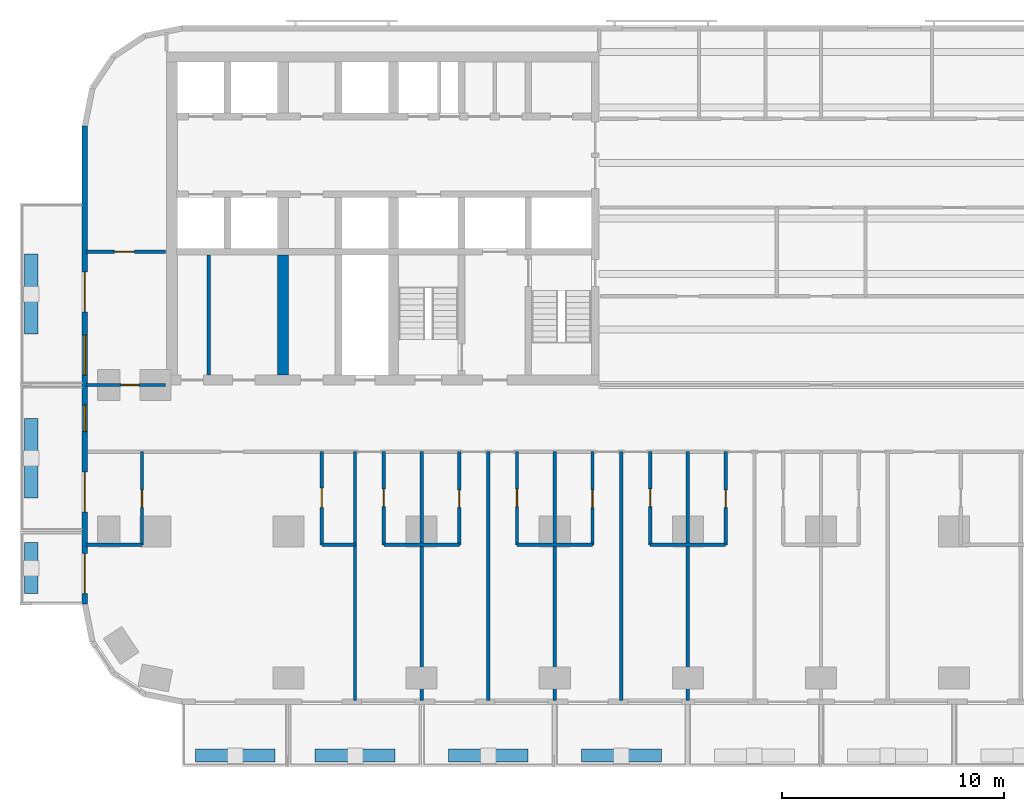
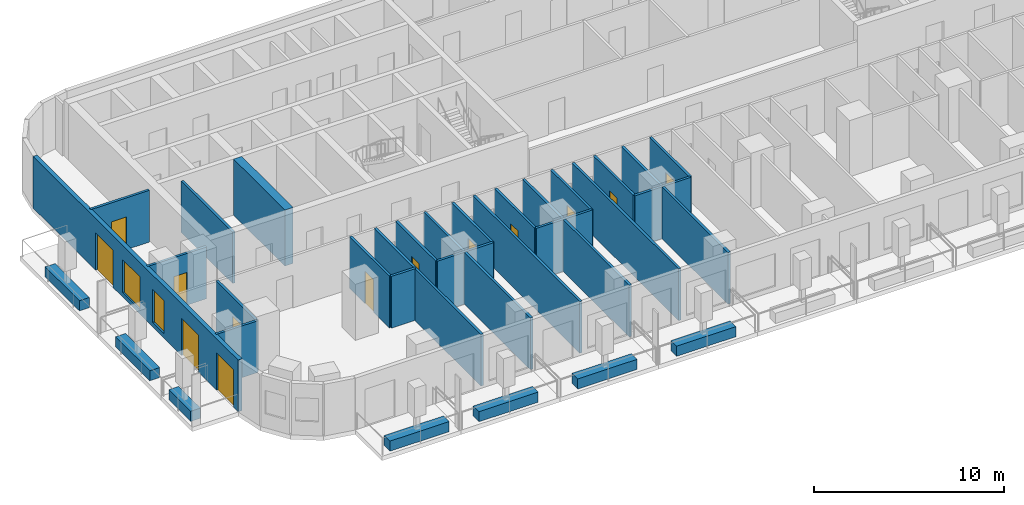
# One storey, part 2 of 14: 31 walls, 13 doors, 2 windows, 15 openings.
"""IFC4 building model written with IfcOpenShell, lengths in metres."""

import ifcopenshell
import ifcopenshell.guid

model = None  # the IFC model being written
_history = None  # IfcOwnerHistory: only IFC2X3 demands one
_inside = {}  # id of a spatial element -> (the spatial element, [elements in it])
_under = {}  # id of a project, library or spatial element -> (it, [spatial elements below it])
_declared = {}  # id of a project -> (the project, [libraries it declares])
_typed = {}  # id of a type object -> (the type object, [elements of that type])
_made_of = {}  # id of a material, layer set ... -> (it, [elements and type objects made of it])


def new_model(schema):
    """Start an empty IFC model of exactly this schema.

    Asked for "IFC4X3", IfcOpenShell would pick the latest addendum, in which some entities
    have other attributes; the version numbers below select the first issue.
    IFC2X3 requires an IfcOwnerHistory on every rooted entity: one is made here for all.
    """
    global model, _history
    if schema == "IFC4X3":
        model = ifcopenshell.file(schema_version=(4, 3, 0, 0))
    else:
        model = ifcopenshell.file(schema=schema)
    _inside.clear()
    _under.clear()
    _declared.clear()
    _typed.clear()
    _made_of.clear()
    _history = None
    if model.schema == "IFC2X3":
        org = make("IfcOrganization", Name="unknown")
        user = make(
            "IfcPersonAndOrganization",
            ThePerson=make("IfcPerson", FamilyName="unknown"),
            TheOrganization=org,
        )
        app = make(
            "IfcApplication",
            ApplicationDeveloper=org,
            Version="unknown",
            ApplicationFullName="unknown",
            ApplicationIdentifier="unknown",
        )
        _history = make(
            "IfcOwnerHistory",
            OwningUser=user,
            OwningApplication=app,
            ChangeAction="ADDED",
            CreationDate=0,
        )
    return model


def make(cls, **values):
    """One entity of the class cls with the attributes given. An attribute that is None is left unset."""
    return model.create_entity(
        cls, **{name: value for name, value in values.items() if value is not None}
    )


def rooted(cls, **values):
    """An entity with a GlobalId (a new one), such as an element, a storey or a relation."""
    return make(cls, GlobalId=ifcopenshell.guid.new(), OwnerHistory=_history, **values)


def si_unit(unit_type, name, prefix=None):
    """IfcSIUnit, for example si_unit("LENGTHUNIT", "METRE", prefix="MILLI")."""
    return make("IfcSIUnit", UnitType=unit_type, Prefix=prefix, Name=name)


def assignment(units):
    """IfcUnitAssignment: the units of a project."""
    return None if units is None else make("IfcUnitAssignment", Units=units)


def point(xyz):
    """IfcCartesianPoint."""
    return None if xyz is None else make("IfcCartesianPoint", Coordinates=xyz)


def direction(xyz):
    """IfcDirection."""
    return None if xyz is None else make("IfcDirection", DirectionRatios=xyz)


def frame(location, z_axis=None, x_axis=None):
    """IfcAxis2Placement3D, a coordinate frame: its origin and axes. An axis left out is left unset."""
    return make(
        "IfcAxis2Placement3D",
        Location=point(location),
        Axis=direction(z_axis),
        RefDirection=direction(x_axis),
    )


def frame_2d(location, x_axis=None):
    """IfcAxis2Placement2D, a coordinate frame in the plane: its origin and x axis."""
    return make(
        "IfcAxis2Placement2D", Location=point(location), RefDirection=direction(x_axis)
    )


def origin():
    """The frame at (0, 0, 0) with its axes left unset."""
    return frame((0.0, 0.0, 0.0))


def place(relative_to, where):
    """IfcLocalPlacement: puts the frame where relative to a parent placement (None: the world)."""
    return make(
        "IfcLocalPlacement", PlacementRelTo=relative_to, RelativePlacement=where
    )


def context(
    kind, dimensions, precision=None, world=None, true_north=None, identifier=None
):
    """IfcGeometricRepresentationContext, for example the 3D "Model" context."""
    return make(
        "IfcGeometricRepresentationContext",
        ContextIdentifier=identifier,
        ContextType=kind,
        CoordinateSpaceDimension=dimensions,
        Precision=precision,
        WorldCoordinateSystem=world,
        TrueNorth=true_north,
    )


def subcontext(parent, identifier, kind, view, scale=None):
    """IfcGeometricRepresentationSubContext, for example "Body" below "Model"."""
    return make(
        "IfcGeometricRepresentationSubContext",
        ContextIdentifier=identifier,
        ContextType=kind,
        ParentContext=parent,
        TargetScale=scale,
        TargetView=view,
    )


def project(units=None, contexts=None):
    """IfcProject with its units and contexts."""
    return rooted(
        "IfcProject",
        Name="project",
        RepresentationContexts=contexts,
        UnitsInContext=assignment(units),
    )


def spatial(cls, under=None, at=None, **own):
    """A site, building, storey or space (cls), placed at a placement, below another one or the project."""
    s = rooted(cls, ObjectPlacement=at, **own)
    if under is not None:
        _under.setdefault(under.id(), (under, []))[1].append(s)
    return s


def profile(cls, at=None, kind="AREA", **sizes):
    """A parametric profile (cls). Its sizes go by their IFC names, for example OverallWidth=200.0."""
    return make(cls, ProfileType=kind, Position=at, **sizes)


def rectangle(**sizes):
    """IfcRectangleProfileDef."""
    return profile("IfcRectangleProfileDef", **sizes)


def extrude(swept, where, along, depth):
    """IfcExtrudedAreaSolid: the profile swept, set in the frame where, extruded along a direction by depth."""
    return make(
        "IfcExtrudedAreaSolid",
        SweptArea=swept,
        Position=where,
        ExtrudedDirection=direction(along),
        Depth=depth,
    )


def shape(context_of_items, identifier, shape_type, items):
    """IfcShapeRepresentation: the items that make up one representation, for example the "Body"."""
    return make(
        "IfcShapeRepresentation",
        ContextOfItems=context_of_items,
        RepresentationIdentifier=identifier,
        RepresentationType=shape_type,
        Items=items,
    )


def material(Name=None, Category=None):
    """IfcMaterial."""
    return make("IfcMaterial", Name=Name, Category=Category)


def layer(
    of_material, thickness, ventilated=None, Name=None, Category=None, Priority=None
):
    """IfcMaterialLayer: one layer of a wall or slab, of a material (None: an air gap)."""
    return make(
        "IfcMaterialLayer",
        Material=of_material,
        LayerThickness=thickness,
        IsVentilated=ventilated,
        Name=Name,
        Category=Category,
        Priority=Priority,
    )


def layer_set(layers, Name=None):
    """IfcMaterialLayerSet."""
    return make("IfcMaterialLayerSet", MaterialLayers=layers, LayerSetName=Name)


def made_of(thing, what):
    """Note that an element or type object is made of a material, layer set ...; save() writes the relation."""
    if what is not None:
        _made_of.setdefault(what.id(), (what, []))[1].append(thing)
    return thing


def type_object(cls, material=None, **own):
    """A type object (cls), such as IfcWallType, which elements share."""
    return made_of(rooted(cls, **own), material)


def element(
    cls,
    number,
    at=None,
    inside=None,
    cuts=None,
    type_object=None,
    material=None,
    context=None,
    identifier="Body",
    shape_type=None,
    held_by="IfcProductDefinitionShape",
    body=None,
    shapes=None,
    **own,
):
    """One element of the class cls, such as IfcWall. Its Tag is "e" and its number.

    at: its placement. inside: the storey or other place that contains it. cuts: it is an
    opening in that element (IfcRelVoidsElement). A single representation is given by context,
    identifier, shape_type and body (its items); several are given by shapes. held_by: the class
    of the entity that holds the representations. save() writes the other relations.
    """
    e = rooted(cls, Tag="e%d" % number, ObjectPlacement=at, **own)
    if body is not None:
        shapes = [shape(context, identifier, shape_type, body)]
    if shapes is not None:
        e.Representation = make(held_by, Representations=shapes)
    if inside is not None:
        _inside.setdefault(inside.id(), (inside, []))[1].append(e)
    if cuts is not None:
        rooted(
            "IfcRelVoidsElement", RelatingBuildingElement=cuts, RelatedOpeningElement=e
        )
    if type_object is not None:
        _typed.setdefault(type_object.id(), (type_object, []))[1].append(e)
    return made_of(e, material)


def fill(opening, filler):
    """IfcRelFillsElement: the door or window that sits in an opening."""
    return rooted(
        "IfcRelFillsElement",
        RelatingOpeningElement=opening,
        RelatedBuildingElement=filler,
    )


def aggregate(whole, parts):
    """IfcRelAggregates: a whole, such as a stair, and the parts it consists of."""
    return rooted("IfcRelAggregates", RelatingObject=whole, RelatedObjects=parts)


def save(model, path):
    """Write the relations noted so far, then the file.

    IfcRelAggregates (storeys below a building ...), IfcRelContainedInSpatialStructure (elements
    in a storey), IfcRelDefinesByType, IfcRelAssociatesMaterial and IfcRelDeclares: one each for
    every whole, place, type object, material and project.
    """
    for whole, parts in _under.values():
        aggregate(whole, parts)
    for where, things in _inside.values():
        rooted(
            "IfcRelContainedInSpatialStructure",
            RelatedElements=things,
            RelatingStructure=where,
        )
    for kind, things in _typed.values():
        rooted("IfcRelDefinesByType", RelatedObjects=things, RelatingType=kind)
    for what, things in _made_of.values():
        rooted("IfcRelAssociatesMaterial", RelatedObjects=things, RelatingMaterial=what)
    for by, libraries in _declared.values():
        rooted("IfcRelDeclares", RelatingContext=by, RelatedDefinitions=libraries)
    model.write(path)


model = new_model("IFC4")

# Units and contexts
model_context = context("Model", 3, precision=1e-05, world=origin(), true_north=direction((0.0, 1.0)))
body_context = subcontext(model_context, "Body", "Model", "MODEL_VIEW")
ifc_project = project(units=[si_unit("LENGTHUNIT", "METRE"), si_unit("AREAUNIT", "SQUARE_METRE"), si_unit("VOLUMEUNIT", "CUBIC_METRE"), si_unit("PLANEANGLEUNIT", "RADIAN"), si_unit("MASSUNIT", "GRAM", prefix="KILO")], contexts=[model_context])

# Site, building, storey
site_placement = place(None, origin())
site = spatial("IfcSite", under=ifc_project, at=site_placement, CompositionType="ELEMENT")
building_placement = place(site_placement, origin())
building = spatial("IfcBuilding", under=site, at=building_placement, Name="Torana Hotel and Residences", CompositionType="ELEMENT")
storey_placement = place(building_placement, frame((0.0, 0.0, 34.800048828125)))
storey = spatial("IfcBuildingStorey", under=building, at=storey_placement, Name="L07", CompositionType="ELEMENT", Elevation=34.800048828125)

# Wall
ifc_material_1 = material(Name="Concrete C80/95", Category="concrete")
ifc_layer_1 = layer(ifc_material_1, 0.5)
ifc_layer_set_1 = layer_set([ifc_layer_1], Name="CORE WALL 500 C80/95")
wall_type_1 = type_object("IfcWallType", Name="CORE WALL 500 C80/95", PredefinedType="SHEAR", material=ifc_layer_set_1)
wall_1_placement = place(storey_placement, frame((-24.25, -14.550048828125, 0.0), z_axis=(0.0, 0.0, 1.0), x_axis=(0.0, 1.0, 0.0)))
element("IfcWall", 1, at=wall_1_placement, inside=storey, type_object=wall_type_1, Name="Core wall W ml-band", PredefinedType="SHEAR", context=body_context, shape_type="SweptSolid", body=[
    extrude(rectangle(XDim=5.400146484375, YDim=0.5, at=frame_2d((2.7001953125, 0.0))), origin(), (0.0, 0.0, 1.0), 3.599853515625),
])

# Wall, openings, doors, windows
ifc_material_2 = material(Name="Black aluminium composite panel", Category="aluminium")
ifc_layer_2 = layer(ifc_material_2, 0.00390625, Name="Cladding", Category="cladding")
ifc_material_3 = material(Name="Ventilated air cavity")
ifc_layer_3 = layer(ifc_material_3, 0.0400390625, Name="Ventilated cavity", Category="cavity")
ifc_material_4 = material(Name="Mineral wool insulation")
ifc_layer_4 = layer(ifc_material_4, 0.090087890625, Name="Insulation", Category="insulation")
ifc_material_5 = material(Name="Steel S280GD", Category="steel")
ifc_layer_5 = layer(ifc_material_5, 0.092041015625, Name="Steel stud frame", Category="structure")
ifc_material_6 = material(Name="Fire rated plasterboard")
ifc_layer_6 = layer(ifc_material_6, 0.011962890625, Name="Inner board", Category="finish")
ifc_layer_7 = layer(ifc_material_6, 0.011962890625, Name="Second board", Category="finish")
ifc_layer_set_2 = layer_set([ifc_layer_2, ifc_layer_3, ifc_layer_4, ifc_layer_5, ifc_layer_6, ifc_layer_7], Name="EW1 EXTERNAL WALL BLACK METAL CLAD 250")
wall_type_2 = type_object("IfcWallType", Name="EW1 EXTERNAL WALL BLACK METAL CLAD 250", PredefinedType="SOLIDWALL", material=ifc_layer_set_2)
wall_2_placement = place(storey_placement, frame((-33.175048828125, -3.32470703125, 0.0), z_axis=(0.0, 0.0, 1.0), x_axis=(0.0, -1.0, 0.0)))
wall_2 = element("IfcWall", 2, at=wall_2_placement, inside=storey, type_object=wall_type_2, Name="External wall L07 e0.9", PredefinedType="SOLIDWALL", context=body_context, shape_type="SweptSolid", body=[
    extrude(rectangle(XDim=21.55078125, YDim=0.25, at=frame_2d((10.775390625, 0.0))), origin(), (0.0, 0.0, 1.0), 3.320068359375),
])
opening_1_placement = place(wall_2_placement, frame((6.575439453125, 0.0, 0.0)))
opening_1 = element("IfcOpeningElement", 3, at=opening_1_placement, cuts=wall_2, Name="Opening L07-E14", PredefinedType="OPENING", context=body_context, shape_type="SweptSolid", body=[
    extrude(rectangle(XDim=1.800048828125, YDim=2.39990234375, at=frame_2d((0.89990234375, 1.199951171875))), frame((0.0, 0.135009765625, 0.0), z_axis=(0.0, -1.0, 0.0), x_axis=(1.0, 0.0, 0.0)), (0.0, 0.0, 1.0), 0.27001953125),
])
opening_2_placement = place(wall_2_placement, frame((9.42529296875, 0.0, 0.300048828125)))
opening_2 = element("IfcOpeningElement", 4, at=opening_2_placement, cuts=wall_2, Name="Opening W2", PredefinedType="OPENING", context=body_context, shape_type="SweptSolid", body=[
    extrude(rectangle(XDim=1.800048828125, YDim=2.10009765625, at=frame_2d((0.89990234375, 1.050048828125))), frame((0.0, 0.135009765625, 0.0), z_axis=(0.0, -1.0, 0.0), x_axis=(1.0, 0.0, 0.0)), (0.0, 0.0, 1.0), 0.27001953125),
])
opening_3_placement = place(wall_2_placement, frame((12.575439453125, 0.0, 0.300048828125)))
opening_3 = element("IfcOpeningElement", 5, at=opening_3_placement, cuts=wall_2, Name="Opening W7", PredefinedType="OPENING", context=body_context, shape_type="SweptSolid", body=[
    extrude(rectangle(XDim=1.199951171875, YDim=2.10009765625, at=frame_2d((0.60009765625, 1.050048828125))), frame((0.0, 0.135009765625, 0.0), z_axis=(0.0, -1.0, 0.0), x_axis=(1.0, 0.0, 0.0)), (0.0, 0.0, 1.0), 0.27001953125),
])
opening_4_placement = place(wall_2_placement, frame((15.600341796875, 0.0, 0.0)))
opening_4 = element("IfcOpeningElement", 6, at=opening_4_placement, cuts=wall_2, Name="Opening L07-E15", PredefinedType="OPENING", context=body_context, shape_type="SweptSolid", body=[
    extrude(rectangle(XDim=1.800048828125, YDim=2.39990234375, at=frame_2d((0.89990234375, 1.199951171875))), frame((0.0, 0.135009765625, 0.0), z_axis=(0.0, -1.0, 0.0), x_axis=(1.0, 0.0, 0.0)), (0.0, 0.0, 1.0), 0.27001953125),
])
opening_5_placement = place(wall_2_placement, frame((19.275390625, 0.0, 0.0)))
opening_5 = element("IfcOpeningElement", 7, at=opening_5_placement, cuts=wall_2, Name="Opening L07-E16", PredefinedType="OPENING", context=body_context, shape_type="SweptSolid", body=[
    extrude(rectangle(XDim=1.800048828125, YDim=2.39990234375, at=frame_2d((0.89990234375, 1.199951171875))), frame((0.0, 0.135009765625, 0.0), z_axis=(0.0, -1.0, 0.0), x_axis=(1.0, 0.0, 0.0)), (0.0, 0.0, 1.0), 0.27001953125),
])
ifc_material_7 = material(Name="Dark glass in black aluminium frame", Category="aluminium")
door_type_1 = type_object("IfcDoorType", Name="DB1 BALCONY DOOR 1800x2400", OperationType="DOUBLE_DOOR_SINGLE_SWING", PredefinedType="DOOR", material=ifc_material_7)
door_1_placement = place(opening_1_placement, origin())
door_1 = element("IfcDoor", 8, at=door_1_placement, inside=storey, type_object=door_type_1, Name="Balcony door L07", OperationType="DOUBLE_DOOR_SINGLE_SWING", OverallHeight=2.39990234375, OverallWidth=1.800048828125, PredefinedType="DOOR", context=body_context, shape_type="SweptSolid", body=[
    extrude(rectangle(XDim=1.800048828125, YDim=2.39990234375, at=frame_2d((0.89990234375, 1.199951171875))), frame((0.0, 0.02490234375, 0.0), z_axis=(0.0, -1.0, 0.0), x_axis=(1.0, 0.0, 0.0)), (0.0, 0.0, 1.0), 0.050048828125),
])
fill(opening_1, door_1)
door_2_placement = place(opening_4_placement, origin())
door_2 = element("IfcDoor", 9, at=door_2_placement, inside=storey, type_object=door_type_1, Name="Balcony door L07", OperationType="DOUBLE_DOOR_SINGLE_SWING", OverallHeight=2.39990234375, OverallWidth=1.800048828125, PredefinedType="DOOR", context=body_context, shape_type="SweptSolid", body=[
    extrude(rectangle(XDim=1.800048828125, YDim=2.39990234375, at=frame_2d((0.89990234375, 1.199951171875))), frame((0.0, 0.02490234375, 0.0), z_axis=(0.0, -1.0, 0.0), x_axis=(1.0, 0.0, 0.0)), (0.0, 0.0, 1.0), 0.050048828125),
])
fill(opening_4, door_2)
door_3_placement = place(opening_5_placement, origin())
door_3 = element("IfcDoor", 10, at=door_3_placement, inside=storey, type_object=door_type_1, Name="Balcony door L07", OperationType="DOUBLE_DOOR_SINGLE_SWING", OverallHeight=2.39990234375, OverallWidth=1.800048828125, PredefinedType="DOOR", context=body_context, shape_type="SweptSolid", body=[
    extrude(rectangle(XDim=1.800048828125, YDim=2.39990234375, at=frame_2d((0.89990234375, 1.199951171875))), frame((0.0, 0.02490234375, 0.0), z_axis=(0.0, -1.0, 0.0), x_axis=(1.0, 0.0, 0.0)), (0.0, 0.0, 1.0), 0.050048828125),
])
fill(opening_5, door_3)
ifc_material_8 = material(Name="Dark glass in black aluminium frame", Category="aluminium")
window_type_1 = type_object("IfcWindowType", Name="W2 HOTEL ROOM WINDOW NARROW 1800x2100", PartitioningType="SINGLE_PANEL", PredefinedType="WINDOW", material=ifc_material_8)
window_1_placement = place(opening_2_placement, origin())
window_1 = element("IfcWindow", 11, at=window_1_placement, inside=storey, type_object=window_type_1, Name="Window L07", OverallHeight=2.10009765625, OverallWidth=1.800048828125, PartitioningType="SINGLE_PANEL", PredefinedType="WINDOW", context=body_context, shape_type="SweptSolid", body=[
    extrude(rectangle(XDim=1.800048828125, YDim=2.10009765625, at=frame_2d((0.89990234375, 1.050048828125))), frame((0.0, 0.030029296875, 0.0), z_axis=(0.0, -1.0, 0.0), x_axis=(1.0, 0.0, 0.0)), (0.0, 0.0, 1.0), 0.06005859375),
])
fill(opening_2, window_1)
ifc_material_9 = material(Name="Dark glass in black aluminium frame", Category="aluminium")
window_type_2 = type_object("IfcWindowType", Name="W7 HOTEL CORRIDOR WINDOW 1200x2100", PartitioningType="SINGLE_PANEL", PredefinedType="WINDOW", material=ifc_material_9)
window_2_placement = place(opening_3_placement, origin())
window_2 = element("IfcWindow", 12, at=window_2_placement, inside=storey, type_object=window_type_2, Name="Window L07", OverallHeight=2.10009765625, OverallWidth=1.199951171875, PartitioningType="SINGLE_PANEL", PredefinedType="WINDOW", context=body_context, shape_type="SweptSolid", body=[
    extrude(rectangle(XDim=1.199951171875, YDim=2.10009765625, at=frame_2d((0.60009765625, 1.050048828125))), frame((0.0, 0.030029296875, 0.0), z_axis=(0.0, -1.0, 0.0), x_axis=(1.0, 0.0, 0.0)), (0.0, 0.0, 1.0), 0.06005859375),
])
fill(opening_3, window_2)

# Wall
ifc_material_10 = material(Name="Gypsum plaster")
ifc_layer_8 = layer(ifc_material_10, 0.014892578125, Name="Plaster", Category="finish")
ifc_material_11 = material(Name="Concrete blockwork", Category="masonry")
ifc_layer_9 = layer(ifc_material_11, 0.1201171875, Name="Blockwork", Category="structure")
ifc_layer_10 = layer(ifc_material_10, 0.014892578125, Name="Plaster", Category="finish")
ifc_layer_set_3 = layer_set([ifc_layer_8, ifc_layer_9, ifc_layer_10], Name="FIRE PARTITION 150 BLOCKWORK")
wall_type_3 = type_object("IfcWallType", Name="FIRE PARTITION 150 BLOCKWORK", PredefinedType="PARTITIONING", material=ifc_layer_set_3)
wall_3_placement = place(storey_placement, frame((-27.60009765625, -14.550048828125, 0.0), z_axis=(0.0, 0.0, 1.0), x_axis=(0.0, 1.0, 0.0)))
element("IfcWall", 13, at=wall_3_placement, inside=storey, type_object=wall_type_3, Name="Core partition L07", PredefinedType="PARTITIONING", context=body_context, shape_type="SweptSolid", body=[
    extrude(rectangle(XDim=5.400146484375, YDim=0.14990234375, at=frame_2d((2.7001953125, 0.0))), origin(), (0.0, 0.0, 1.0), 3.300048828125),
])

# Wall, opening, door
wall_4_placement = place(storey_placement, frame((-33.1201171875, -15.0, 0.0), z_axis=(0.0, 0.0, 1.0), x_axis=(1.0, 0.0, 0.0)))
wall_4 = element("IfcWall", 14, at=wall_4_placement, inside=storey, type_object=wall_type_3, Name="Partition L07", PredefinedType="PARTITIONING", context=body_context, shape_type="SweptSolid", body=[
    extrude(rectangle(XDim=3.570068359375, YDim=0.14990234375, at=frame_2d((1.78515625, 0.0))), origin(), (0.0, 0.0, 1.0), 3.320068359375),
])
opening_6_placement = place(wall_4_placement, frame((1.580078125, 0.0, 0.0)))
opening_6 = element("IfcOpeningElement", 15, at=opening_6_placement, cuts=wall_4, Name="Opening L07-53", PredefinedType="OPENING", context=body_context, shape_type="SweptSolid", body=[
    extrude(rectangle(XDim=0.800048828125, YDim=2.10009765625, at=frame_2d((0.39990234375, 1.050048828125))), frame((0.0, 0.0849609375, 0.0), z_axis=(0.0, -1.0, 0.0), x_axis=(1.0, 0.0, 0.0)), (0.0, 0.0, 1.0), 0.169921875),
])
ifc_material_12 = material(Name="Steel S235", Category="steel")
door_type_2 = type_object("IfcDoorType", Name="STORE FIRE DOOR D16 800x2100", OperationType="SINGLE_SWING_LEFT", PredefinedType="DOOR", material=ifc_material_12)
door_4_placement = place(opening_6_placement, origin())
door_4 = element("IfcDoor", 16, at=door_4_placement, inside=storey, type_object=door_type_2, Name="Door L07", OperationType="SINGLE_SWING_RIGHT", OverallHeight=2.10009765625, OverallWidth=0.800048828125, PredefinedType="DOOR", context=body_context, shape_type="SweptSolid", body=[
    extrude(rectangle(XDim=0.800048828125, YDim=2.10009765625, at=frame_2d((0.39990234375, 1.050048828125))), frame((0.0, 0.02490234375, 0.0), z_axis=(0.0, -1.0, 0.0), x_axis=(1.0, 0.0, 0.0)), (0.0, 0.0, 1.0), 0.050048828125),
])
fill(opening_6, door_4)

ifc_material_13 = material(Name="Gypsum plasterboard")
ifc_layer_11 = layer(ifc_material_13, 0.012451171875, Name="Plasterboard", Category="finish")
ifc_layer_12 = layer(ifc_material_13, 0.012451171875, Name="Plasterboard", Category="finish")
ifc_layer_13 = layer(ifc_material_5, 0.10009765625, Name="Steel studs with mineral wool", Category="insulation")
ifc_layer_14 = layer(ifc_material_13, 0.012451171875, Name="Plasterboard", Category="finish")
ifc_layer_15 = layer(ifc_material_13, 0.012451171875, Name="Plasterboard", Category="finish")
ifc_layer_set_4 = layer_set([ifc_layer_11, ifc_layer_12, ifc_layer_13, ifc_layer_14, ifc_layer_15], Name="PARTITION 150 PLASTERBOARD")
wall_type_4 = type_object("IfcWallType", Name="PARTITION 150 PLASTERBOARD", PredefinedType="PARTITIONING", material=ifc_layer_set_4)
wall_5_placement = place(storey_placement, frame((-4.300048828125, -22.199951171875, 0.0), z_axis=(0.0, 0.0, 1.0), x_axis=(0.0, 1.0, 0.0)))
wall_5 = element("IfcWall", 17, at=wall_5_placement, inside=storey, type_object=wall_type_4, Name="Partition L07", PredefinedType="PARTITIONING", context=body_context, shape_type="SweptSolid", body=[
    extrude(rectangle(XDim=4.199951171875, YDim=0.14990234375, at=frame_2d((2.10009765625, 0.0))), origin(), (0.0, 0.0, 1.0), 3.320068359375),
])
opening_7_placement = place(wall_5_placement, frame((1.679931640625, 0.0, 0.0)))
opening_7 = element("IfcOpeningElement", 18, at=opening_7_placement, cuts=wall_5, Name="Opening L07-69", PredefinedType="OPENING", context=body_context, shape_type="SweptSolid", body=[
    extrude(rectangle(XDim=0.800048828125, YDim=2.10009765625, at=frame_2d((0.39990234375, 1.050048828125))), frame((0.0, 0.0849609375, 0.0), z_axis=(0.0, -1.0, 0.0), x_axis=(1.0, 0.0, 0.0)), (0.0, 0.0, 1.0), 0.169921875),
])
ifc_material_14 = material(Name="Timber door, painted", Category="wood")
door_type_3 = type_object("IfcDoorType", Name="BATH DOOR D13 800x2100", OperationType="SINGLE_SWING_LEFT", PredefinedType="DOOR", material=ifc_material_14)
door_5_placement = place(opening_7_placement, origin())
door_5 = element("IfcDoor", 19, at=door_5_placement, inside=storey, type_object=door_type_3, Name="Door L07", OperationType="SINGLE_SWING_RIGHT", OverallHeight=2.10009765625, OverallWidth=0.800048828125, PredefinedType="DOOR", context=body_context, shape_type="SweptSolid", body=[
    extrude(rectangle(XDim=0.800048828125, YDim=2.10009765625, at=frame_2d((0.39990234375, 1.050048828125))), frame((0.0, 0.02490234375, 0.0), z_axis=(0.0, -1.0, 0.0), x_axis=(1.0, 0.0, 0.0)), (0.0, 0.0, 1.0), 0.050048828125),
])
fill(opening_7, door_5)

# Wall
wall_6_placement = place(storey_placement, frame((-6.0, -29.219970703125, 0.0), z_axis=(0.0, 0.0, 1.0), x_axis=(0.0, 1.0, 0.0)))
element("IfcWall", 20, at=wall_6_placement, inside=storey, type_object=wall_type_4, Name="Partition L07", PredefinedType="PARTITIONING", context=body_context, shape_type="SweptSolid", body=[
    extrude(rectangle(XDim=11.219970703125, YDim=0.14990234375, at=frame_2d((5.60986328125, 0.0))), origin(), (0.0, 0.0, 1.0), 3.320068359375),
])

# Wall, opening, door
wall_7_placement = place(storey_placement, frame((-7.699951171875, -22.199951171875, 0.0), z_axis=(0.0, 0.0, 1.0), x_axis=(0.0, 1.0, 0.0)))
wall_7 = element("IfcWall", 21, at=wall_7_placement, inside=storey, type_object=wall_type_4, Name="Partition L07", PredefinedType="PARTITIONING", context=body_context, shape_type="SweptSolid", body=[
    extrude(rectangle(XDim=4.199951171875, YDim=0.14990234375, at=frame_2d((2.10009765625, 0.0))), origin(), (0.0, 0.0, 1.0), 3.320068359375),
])
opening_8_placement = place(wall_7_placement, frame((1.719970703125, 0.0, 0.0)))
opening_8 = element("IfcOpeningElement", 22, at=opening_8_placement, cuts=wall_7, Name="Opening L07-68", PredefinedType="OPENING", context=body_context, shape_type="SweptSolid", body=[
    extrude(rectangle(XDim=0.800048828125, YDim=2.10009765625, at=frame_2d((0.39990234375, 1.050048828125))), frame((0.0, 0.0849609375, 0.0), z_axis=(0.0, -1.0, 0.0), x_axis=(1.0, 0.0, 0.0)), (0.0, 0.0, 1.0), 0.169921875),
])
door_6_placement = place(opening_8_placement, origin())
door_6 = element("IfcDoor", 23, at=door_6_placement, inside=storey, type_object=door_type_3, Name="Door L07", OperationType="SINGLE_SWING_RIGHT", OverallHeight=2.10009765625, OverallWidth=0.800048828125, PredefinedType="DOOR", context=body_context, shape_type="SweptSolid", body=[
    extrude(rectangle(XDim=0.800048828125, YDim=2.10009765625, at=frame_2d((0.39990234375, 1.050048828125))), frame((0.0, 0.02490234375, 0.0), z_axis=(0.0, -1.0, 0.0), x_axis=(1.0, 0.0, 0.0)), (0.0, 0.0, 1.0), 0.050048828125),
])
fill(opening_8, door_6)

# Wall
wall_8_placement = place(storey_placement, frame((-9.0, -29.219970703125, 0.0), z_axis=(0.0, 0.0, 1.0), x_axis=(0.0, 1.0, 0.0)))
element("IfcWall", 24, at=wall_8_placement, inside=storey, type_object=wall_type_4, Name="Partition L07", PredefinedType="PARTITIONING", context=body_context, shape_type="SweptSolid", body=[
    extrude(rectangle(XDim=11.219970703125, YDim=0.14990234375, at=frame_2d((5.60986328125, 0.0))), origin(), (0.0, 0.0, 1.0), 3.320068359375),
])

# Wall, opening, door
wall_9_placement = place(storey_placement, frame((-10.300048828125, -22.199951171875, 0.0), z_axis=(0.0, 0.0, 1.0), x_axis=(0.0, 1.0, 0.0)))
wall_9 = element("IfcWall", 25, at=wall_9_placement, inside=storey, type_object=wall_type_4, Name="Partition L07", PredefinedType="PARTITIONING", context=body_context, shape_type="SweptSolid", body=[
    extrude(rectangle(XDim=4.199951171875, YDim=0.14990234375, at=frame_2d((2.10009765625, 0.0))), origin(), (0.0, 0.0, 1.0), 3.320068359375),
])
opening_9_placement = place(wall_9_placement, frame((1.679931640625, 0.0, 0.0)))
opening_9 = element("IfcOpeningElement", 26, at=opening_9_placement, cuts=wall_9, Name="Opening L07-67", PredefinedType="OPENING", context=body_context, shape_type="SweptSolid", body=[
    extrude(rectangle(XDim=0.800048828125, YDim=2.10009765625, at=frame_2d((0.39990234375, 1.050048828125))), frame((0.0, 0.0849609375, 0.0), z_axis=(0.0, -1.0, 0.0), x_axis=(1.0, 0.0, 0.0)), (0.0, 0.0, 1.0), 0.169921875),
])
door_7_placement = place(opening_9_placement, origin())
door_7 = element("IfcDoor", 27, at=door_7_placement, inside=storey, type_object=door_type_3, Name="Door L07", OperationType="SINGLE_SWING_RIGHT", OverallHeight=2.10009765625, OverallWidth=0.800048828125, PredefinedType="DOOR", context=body_context, shape_type="SweptSolid", body=[
    extrude(rectangle(XDim=0.800048828125, YDim=2.10009765625, at=frame_2d((0.39990234375, 1.050048828125))), frame((0.0, 0.02490234375, 0.0), z_axis=(0.0, -1.0, 0.0), x_axis=(1.0, 0.0, 0.0)), (0.0, 0.0, 1.0), 0.050048828125),
])
fill(opening_9, door_7)

# Wall
wall_10_placement = place(storey_placement, frame((-12.0, -29.219970703125, 0.0), z_axis=(0.0, 0.0, 1.0), x_axis=(0.0, 1.0, 0.0)))
element("IfcWall", 28, at=wall_10_placement, inside=storey, type_object=wall_type_4, Name="Partition L07", PredefinedType="PARTITIONING", context=body_context, shape_type="SweptSolid", body=[
    extrude(rectangle(XDim=11.219970703125, YDim=0.14990234375, at=frame_2d((5.60986328125, 0.0))), origin(), (0.0, 0.0, 1.0), 3.320068359375),
])

# Wall, opening, door
wall_11_placement = place(storey_placement, frame((-13.699951171875, -22.199951171875, 0.0), z_axis=(0.0, 0.0, 1.0), x_axis=(0.0, 1.0, 0.0)))
wall_11 = element("IfcWall", 29, at=wall_11_placement, inside=storey, type_object=wall_type_4, Name="Partition L07", PredefinedType="PARTITIONING", context=body_context, shape_type="SweptSolid", body=[
    extrude(rectangle(XDim=4.199951171875, YDim=0.14990234375, at=frame_2d((2.10009765625, 0.0))), origin(), (0.0, 0.0, 1.0), 3.320068359375),
])
opening_10_placement = place(wall_11_placement, frame((1.719970703125, 0.0, 0.0)))
opening_10 = element("IfcOpeningElement", 30, at=opening_10_placement, cuts=wall_11, Name="Opening L07-66", PredefinedType="OPENING", context=body_context, shape_type="SweptSolid", body=[
    extrude(rectangle(XDim=0.800048828125, YDim=2.10009765625, at=frame_2d((0.39990234375, 1.050048828125))), frame((0.0, 0.0849609375, 0.0), z_axis=(0.0, -1.0, 0.0), x_axis=(1.0, 0.0, 0.0)), (0.0, 0.0, 1.0), 0.169921875),
])
door_8_placement = place(opening_10_placement, origin())
door_8 = element("IfcDoor", 31, at=door_8_placement, inside=storey, type_object=door_type_3, Name="Door L07", OperationType="SINGLE_SWING_RIGHT", OverallHeight=2.10009765625, OverallWidth=0.800048828125, PredefinedType="DOOR", context=body_context, shape_type="SweptSolid", body=[
    extrude(rectangle(XDim=0.800048828125, YDim=2.10009765625, at=frame_2d((0.39990234375, 1.050048828125))), frame((0.0, 0.02490234375, 0.0), z_axis=(0.0, -1.0, 0.0), x_axis=(1.0, 0.0, 0.0)), (0.0, 0.0, 1.0), 0.050048828125),
])
fill(opening_10, door_8)

# Wall
wall_12_placement = place(storey_placement, frame((-15.0, -29.219970703125, 0.0), z_axis=(0.0, 0.0, 1.0), x_axis=(0.0, 1.0, 0.0)))
element("IfcWall", 32, at=wall_12_placement, inside=storey, type_object=wall_type_4, Name="Partition L07", PredefinedType="PARTITIONING", context=body_context, shape_type="SweptSolid", body=[
    extrude(rectangle(XDim=11.219970703125, YDim=0.14990234375, at=frame_2d((5.60986328125, 0.0))), origin(), (0.0, 0.0, 1.0), 3.320068359375),
])

# Wall, opening, door
wall_13_placement = place(storey_placement, frame((-16.300048828125, -22.199951171875, 0.0), z_axis=(0.0, 0.0, 1.0), x_axis=(0.0, 1.0, 0.0)))
wall_13 = element("IfcWall", 33, at=wall_13_placement, inside=storey, type_object=wall_type_4, Name="Partition L07", PredefinedType="PARTITIONING", context=body_context, shape_type="SweptSolid", body=[
    extrude(rectangle(XDim=4.199951171875, YDim=0.14990234375, at=frame_2d((2.10009765625, 0.0))), origin(), (0.0, 0.0, 1.0), 3.320068359375),
])
opening_11_placement = place(wall_13_placement, frame((1.679931640625, 0.0, 0.0)))
opening_11 = element("IfcOpeningElement", 34, at=opening_11_placement, cuts=wall_13, Name="Opening L07-65", PredefinedType="OPENING", context=body_context, shape_type="SweptSolid", body=[
    extrude(rectangle(XDim=0.800048828125, YDim=2.10009765625, at=frame_2d((0.39990234375, 1.050048828125))), frame((0.0, 0.0849609375, 0.0), z_axis=(0.0, -1.0, 0.0), x_axis=(1.0, 0.0, 0.0)), (0.0, 0.0, 1.0), 0.169921875),
])
door_9_placement = place(opening_11_placement, origin())
door_9 = element("IfcDoor", 35, at=door_9_placement, inside=storey, type_object=door_type_3, Name="Door L07", OperationType="SINGLE_SWING_RIGHT", OverallHeight=2.10009765625, OverallWidth=0.800048828125, PredefinedType="DOOR", context=body_context, shape_type="SweptSolid", body=[
    extrude(rectangle(XDim=0.800048828125, YDim=2.10009765625, at=frame_2d((0.39990234375, 1.050048828125))), frame((0.0, 0.02490234375, 0.0), z_axis=(0.0, -1.0, 0.0), x_axis=(1.0, 0.0, 0.0)), (0.0, 0.0, 1.0), 0.050048828125),
])
fill(opening_11, door_9)

# Wall
wall_14_placement = place(storey_placement, frame((-18.0, -29.219970703125, 0.0), z_axis=(0.0, 0.0, 1.0), x_axis=(0.0, 1.0, 0.0)))
element("IfcWall", 36, at=wall_14_placement, inside=storey, type_object=wall_type_4, Name="Partition L07", PredefinedType="PARTITIONING", context=body_context, shape_type="SweptSolid", body=[
    extrude(rectangle(XDim=11.219970703125, YDim=0.14990234375, at=frame_2d((5.60986328125, 0.0))), origin(), (0.0, 0.0, 1.0), 3.320068359375),
])

# Wall, opening, door
wall_15_placement = place(storey_placement, frame((-19.699951171875, -22.199951171875, 0.0), z_axis=(0.0, 0.0, 1.0), x_axis=(0.0, 1.0, 0.0)))
wall_15 = element("IfcWall", 37, at=wall_15_placement, inside=storey, type_object=wall_type_4, Name="Partition L07", PredefinedType="PARTITIONING", context=body_context, shape_type="SweptSolid", body=[
    extrude(rectangle(XDim=4.199951171875, YDim=0.14990234375, at=frame_2d((2.10009765625, 0.0))), origin(), (0.0, 0.0, 1.0), 3.320068359375),
])
opening_12_placement = place(wall_15_placement, frame((1.719970703125, 0.0, 0.0)))
opening_12 = element("IfcOpeningElement", 38, at=opening_12_placement, cuts=wall_15, Name="Opening L07-64", PredefinedType="OPENING", context=body_context, shape_type="SweptSolid", body=[
    extrude(rectangle(XDim=0.800048828125, YDim=2.10009765625, at=frame_2d((0.39990234375, 1.050048828125))), frame((0.0, 0.0849609375, 0.0), z_axis=(0.0, -1.0, 0.0), x_axis=(1.0, 0.0, 0.0)), (0.0, 0.0, 1.0), 0.169921875),
])
door_10_placement = place(opening_12_placement, origin())
door_10 = element("IfcDoor", 39, at=door_10_placement, inside=storey, type_object=door_type_3, Name="Door L07", OperationType="SINGLE_SWING_RIGHT", OverallHeight=2.10009765625, OverallWidth=0.800048828125, PredefinedType="DOOR", context=body_context, shape_type="SweptSolid", body=[
    extrude(rectangle(XDim=0.800048828125, YDim=2.10009765625, at=frame_2d((0.39990234375, 1.050048828125))), frame((0.0, 0.02490234375, 0.0), z_axis=(0.0, -1.0, 0.0), x_axis=(1.0, 0.0, 0.0)), (0.0, 0.0, 1.0), 0.050048828125),
])
fill(opening_12, door_10)

# Wall
wall_16_placement = place(storey_placement, frame((-21.0, -29.219970703125, 0.0), z_axis=(0.0, 0.0, 1.0), x_axis=(0.0, 1.0, 0.0)))
element("IfcWall", 40, at=wall_16_placement, inside=storey, type_object=wall_type_4, Name="Partition L07", PredefinedType="PARTITIONING", context=body_context, shape_type="SweptSolid", body=[
    extrude(rectangle(XDim=11.219970703125, YDim=0.14990234375, at=frame_2d((5.60986328125, 0.0))), origin(), (0.0, 0.0, 1.0), 3.320068359375),
])

# Wall, opening, door
wall_17_placement = place(storey_placement, frame((-22.5, -22.199951171875, 0.0), z_axis=(0.0, 0.0, 1.0), x_axis=(0.0, 1.0, 0.0)))
wall_17 = element("IfcWall", 41, at=wall_17_placement, inside=storey, type_object=wall_type_4, Name="Partition L07", PredefinedType="PARTITIONING", context=body_context, shape_type="SweptSolid", body=[
    extrude(rectangle(XDim=4.199951171875, YDim=0.14990234375, at=frame_2d((2.10009765625, 0.0))), origin(), (0.0, 0.0, 1.0), 3.320068359375),
])
opening_13_placement = place(wall_17_placement, frame((1.669921875, 0.0, 0.0)))
opening_13 = element("IfcOpeningElement", 42, at=opening_13_placement, cuts=wall_17, Name="Opening L07-78", PredefinedType="OPENING", context=body_context, shape_type="SweptSolid", body=[
    extrude(rectangle(XDim=0.89990234375, YDim=2.10009765625, at=frame_2d((0.449951171875, 1.050048828125))), frame((0.0, 0.0849609375, 0.0), z_axis=(0.0, -1.0, 0.0), x_axis=(1.0, 0.0, 0.0)), (0.0, 0.0, 1.0), 0.169921875),
])
ifc_material_15 = material(Name="Timber door, oiled ash", Category="wood")
door_type_4 = type_object("IfcDoorType", Name="ROOM DOOR D7 900x2100", OperationType="SINGLE_SWING_LEFT", PredefinedType="DOOR", material=ifc_material_15)
door_11_placement = place(opening_13_placement, origin())
door_11 = element("IfcDoor", 43, at=door_11_placement, inside=storey, type_object=door_type_4, Name="Door L07", OperationType="SINGLE_SWING_RIGHT", OverallHeight=2.10009765625, OverallWidth=0.89990234375, PredefinedType="DOOR", context=body_context, shape_type="SweptSolid", body=[
    extrude(rectangle(XDim=0.89990234375, YDim=2.10009765625, at=frame_2d((0.449951171875, 1.050048828125))), frame((0.0, 0.02490234375, 0.0), z_axis=(0.0, -1.0, 0.0), x_axis=(1.0, 0.0, 0.0)), (0.0, 0.0, 1.0), 0.050048828125),
])
fill(opening_13, door_11)

wall_18_placement = place(storey_placement, frame((-30.60009765625, -22.199951171875, 0.0), z_axis=(0.0, 0.0, 1.0), x_axis=(0.0, 1.0, 0.0)))
wall_18 = element("IfcWall", 44, at=wall_18_placement, inside=storey, type_object=wall_type_4, Name="Partition L07", PredefinedType="PARTITIONING", context=body_context, shape_type="SweptSolid", body=[
    extrude(rectangle(XDim=4.199951171875, YDim=0.14990234375, at=frame_2d((2.10009765625, 0.0))), origin(), (0.0, 0.0, 1.0), 3.320068359375),
])
opening_14_placement = place(wall_18_placement, frame((1.679931640625, 0.0, 0.0)))
opening_14 = element("IfcOpeningElement", 45, at=opening_14_placement, cuts=wall_18, Name="Opening L07-79", PredefinedType="OPENING", context=body_context, shape_type="SweptSolid", body=[
    extrude(rectangle(XDim=0.800048828125, YDim=2.10009765625, at=frame_2d((0.39990234375, 1.050048828125))), frame((0.0, 0.0849609375, 0.0), z_axis=(0.0, -1.0, 0.0), x_axis=(1.0, 0.0, 0.0)), (0.0, 0.0, 1.0), 0.169921875),
])
door_12_placement = place(opening_14_placement, origin())
door_12 = element("IfcDoor", 46, at=door_12_placement, inside=storey, type_object=door_type_3, Name="Door L07", OperationType="SINGLE_SWING_RIGHT", OverallHeight=2.10009765625, OverallWidth=0.800048828125, PredefinedType="DOOR", context=body_context, shape_type="SweptSolid", body=[
    extrude(rectangle(XDim=0.800048828125, YDim=2.10009765625, at=frame_2d((0.39990234375, 1.050048828125))), frame((0.0, 0.02490234375, 0.0), z_axis=(0.0, -1.0, 0.0), x_axis=(1.0, 0.0, 0.0)), (0.0, 0.0, 1.0), 0.050048828125),
])
fill(opening_14, door_12)

# Walls
wall_19_placement = place(storey_placement, frame((-33.1201171875, -22.199951171875, 0.0), z_axis=(0.0, 0.0, 1.0), x_axis=(1.0, 0.0, 0.0)))
element("IfcWall", 47, at=wall_19_placement, inside=storey, type_object=wall_type_4, Name="Partition L07", PredefinedType="PARTITIONING", context=body_context, shape_type="SweptSolid", body=[
    extrude(rectangle(XDim=2.52001953125, YDim=0.14990234375, at=frame_2d((1.260009765625, 0.0))), origin(), (0.0, 0.0, 1.0), 3.320068359375),
])
wall_20_placement = place(storey_placement, frame((-22.5, -22.199951171875, 0.0), z_axis=(0.0, 0.0, 1.0), x_axis=(1.0, 0.0, 0.0)))
element("IfcWall", 48, at=wall_20_placement, inside=storey, type_object=wall_type_4, Name="Partition L07", PredefinedType="PARTITIONING", context=body_context, shape_type="SweptSolid", body=[
    extrude(rectangle(XDim=1.5, YDim=0.14990234375, at=frame_2d((0.75, 0.0))), origin(), (0.0, 0.0, 1.0), 3.320068359375),
])
for number, where, z_axis, x_axis, name in (
    (49, (-19.699951171875, -22.199951171875, 0.0), (0.0, 0.0, 1.0), (1.0, 0.0, 0.0), "Partition L07"),
    (50, (-13.699951171875, -22.199951171875, 0.0), (0.0, 0.0, 1.0), (1.0, 0.0, 0.0), "Partition L07"),
    (51, (-7.699951171875, -22.199951171875, 0.0), (0.0, 0.0, 1.0), (1.0, 0.0, 0.0), "Partition L07"),
):
    element("IfcWall", number, at=place(storey_placement, frame(where, z_axis=z_axis, x_axis=x_axis)), inside=storey, type_object=wall_type_4, Name=name, PredefinedType="PARTITIONING", context=body_context, shape_type="SweptSolid", body=[
        extrude(rectangle(XDim=3.39990234375, YDim=0.14990234375, at=frame_2d((1.699951171875, 0.0))), origin(), (0.0, 0.0, 1.0), 3.320068359375),
    ])

# Wall, opening, door
wall_21_placement = place(storey_placement, frame((-33.1201171875, -9.0, 0.0), z_axis=(0.0, 0.0, 1.0), x_axis=(1.0, 0.0, 0.0)))
wall_21 = element("IfcWall", 52, at=wall_21_placement, inside=storey, type_object=wall_type_4, Name="Partition L07", PredefinedType="PARTITIONING", context=body_context, shape_type="SweptSolid", body=[
    extrude(rectangle(XDim=3.570068359375, YDim=0.14990234375, at=frame_2d((1.78515625, 0.0))), origin(), (0.0, 0.0, 1.0), 3.320068359375),
])
opening_15_placement = place(wall_21_placement, frame((1.27001953125, 0.0, 0.0)))
opening_15 = element("IfcOpeningElement", 53, at=opening_15_placement, cuts=wall_21, Name="Opening L07-82", PredefinedType="OPENING", context=body_context, shape_type="SweptSolid", body=[
    extrude(rectangle(XDim=0.89990234375, YDim=2.10009765625, at=frame_2d((0.449951171875, 1.050048828125))), frame((0.0, 0.0849609375, 0.0), z_axis=(0.0, -1.0, 0.0), x_axis=(1.0, 0.0, 0.0)), (0.0, 0.0, 1.0), 0.169921875),
])
door_13_placement = place(opening_15_placement, origin())
door_13 = element("IfcDoor", 54, at=door_13_placement, inside=storey, type_object=door_type_4, Name="Door L07", OperationType="SINGLE_SWING_RIGHT", OverallHeight=2.10009765625, OverallWidth=0.89990234375, PredefinedType="DOOR", context=body_context, shape_type="SweptSolid", body=[
    extrude(rectangle(XDim=0.89990234375, YDim=2.10009765625, at=frame_2d((0.449951171875, 1.050048828125))), frame((0.0, 0.02490234375, 0.0), z_axis=(0.0, -1.0, 0.0), x_axis=(1.0, 0.0, 0.0)), (0.0, 0.0, 1.0), 0.050048828125),
])
fill(opening_15, door_13)

# Walls
ifc_material_16 = material(Name="Concrete C40/50 precast", Category="concrete")
ifc_layer_16 = layer(ifc_material_16, 0.10009765625, Name="Planter shell", Category="structure")
ifc_material_17 = material(Name="Root resistant membrane")
ifc_layer_17 = layer(ifc_material_17, 0.00390625, Name="Waterproofing membrane", Category="membrane")
ifc_material_18 = material(Name="Drainage board with filter fleece")
ifc_layer_18 = layer(ifc_material_18, 0.02001953125, Name="Drainage board", Category="drainage")
ifc_material_19 = material(Name="Growing medium")
ifc_layer_19 = layer(ifc_material_19, 0.47607421875, Name="Planting substrate", Category="soil")
ifc_layer_set_5 = layer_set([ifc_layer_16, ifc_layer_17, ifc_layer_18, ifc_layer_19], Name="PL1 BALCONY PLANTER 600")
wall_type_5 = type_object("IfcWallType", Name="PL1 BALCONY PLANTER 600", PredefinedType="USERDEFINED", material=ifc_layer_set_5)
wall_22_placement = place(storey_placement, frame((-24.60009765625, -31.699951171875, 0.0), z_axis=(0.0, 0.0, 1.0), x_axis=(-1.0, 0.0, 0.0)))
element("IfcWall", 55, at=wall_22_placement, inside=storey, type_object=wall_type_5, Name="Planter 01", ObjectType="PLANTER", PredefinedType="USERDEFINED", context=body_context, shape_type="SweptSolid", body=[
    extrude(rectangle(XDim=3.599853515625, YDim=0.60009765625, at=frame_2d((1.7998046875, 0.0))), origin(), (0.0, 0.0, 1.0), 0.64990234375),
])
for number, where, z_axis, x_axis, name in (
    (56, (-19.199951171875, -31.699951171875, 0.0), (0.0, 0.0, 1.0), (-1.0, 0.0, 0.0), "Planter 02"),
    (57, (-13.199951171875, -31.699951171875, 0.0), (0.0, 0.0, 1.0), (-1.0, 0.0, 0.0), "Planter 03"),
    (58, (-7.199951171875, -31.699951171875, 0.0), (0.0, 0.0, 1.0), (-1.0, 0.0, 0.0), "Planter 04"),
):
    element("IfcWall", number, at=place(storey_placement, frame(where, z_axis=z_axis, x_axis=x_axis)), inside=storey, type_object=wall_type_5, Name=name, ObjectType="PLANTER", PredefinedType="USERDEFINED", context=body_context, shape_type="SweptSolid", body=[
        extrude(rectangle(XDim=3.60009765625, YDim=0.60009765625, at=frame_2d((1.800048828125, 0.0))), origin(), (0.0, 0.0, 1.0), 0.64990234375),
    ])
wall_23_placement = place(storey_placement, frame((-35.60009765625, -24.39990234375, 0.0), z_axis=(0.0, 0.0, 1.0), x_axis=(0.0, 1.0, 0.0)))
element("IfcWall", 59, at=wall_23_placement, inside=storey, type_object=wall_type_5, Name="Planter 11", ObjectType="PLANTER", PredefinedType="USERDEFINED", context=body_context, shape_type="SweptSolid", body=[
    extrude(rectangle(XDim=2.2998046875, YDim=0.60009765625, at=frame_2d((1.14990234375, 0.0))), origin(), (0.0, 0.0, 1.0), 0.64990234375),
])
wall_24_placement = place(storey_placement, frame((-35.60009765625, -20.10009765625, 0.0), z_axis=(0.0, 0.0, 1.0), x_axis=(0.0, 1.0, 0.0)))
element("IfcWall", 60, at=wall_24_placement, inside=storey, type_object=wall_type_5, Name="Planter 12", ObjectType="PLANTER", PredefinedType="USERDEFINED", context=body_context, shape_type="SweptSolid", body=[
    extrude(rectangle(XDim=3.60009765625, YDim=0.60009765625, at=frame_2d((1.800048828125, 0.0))), origin(), (0.0, 0.0, 1.0), 0.64990234375),
])
wall_25_placement = place(storey_placement, frame((-35.60009765625, -12.699951171875, 0.0), z_axis=(0.0, 0.0, 1.0), x_axis=(0.0, 1.0, 0.0)))
element("IfcWall", 61, at=wall_25_placement, inside=storey, type_object=wall_type_5, Name="Planter 13", ObjectType="PLANTER", PredefinedType="USERDEFINED", context=body_context, shape_type="SweptSolid", body=[
    extrude(rectangle(XDim=3.599853515625, YDim=0.60009765625, at=frame_2d((1.7998046875, 0.0))), origin(), (0.0, 0.0, 1.0), 0.64990234375),
])

save(model, "model.ifc")
